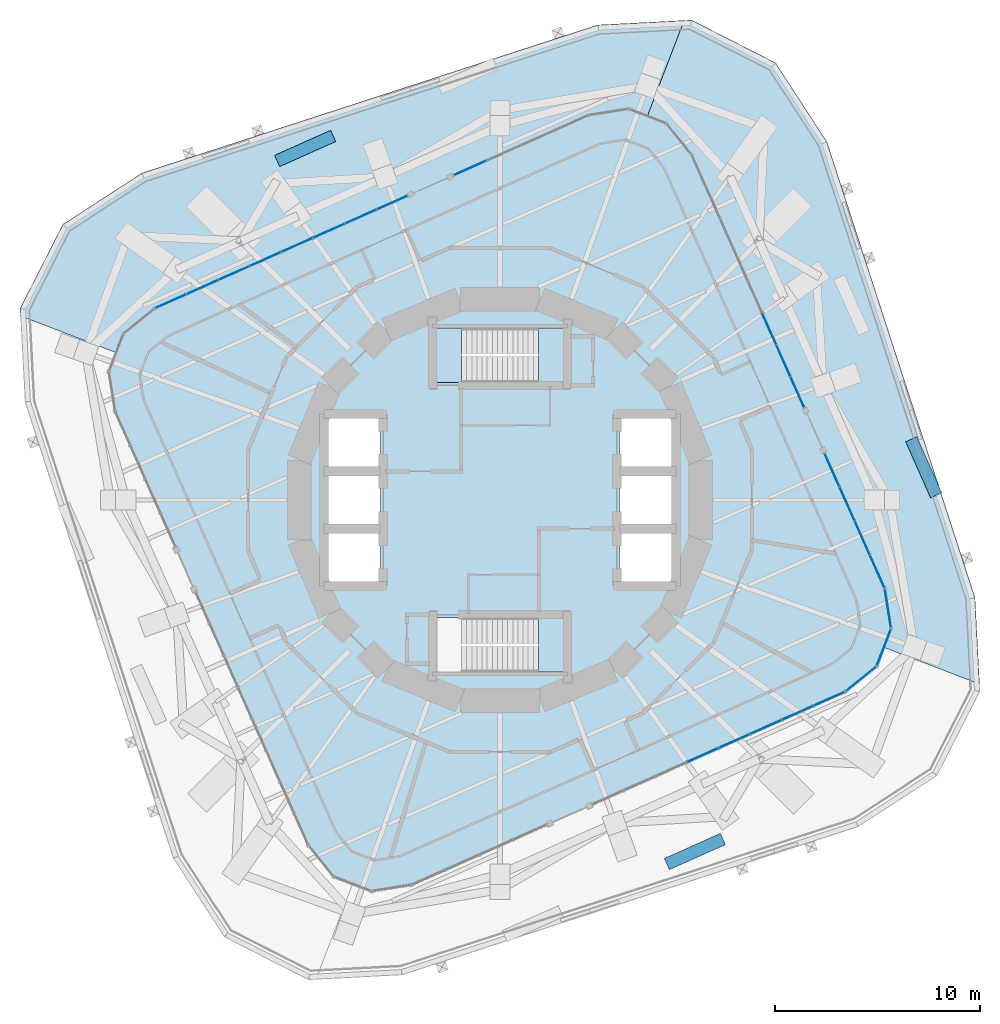
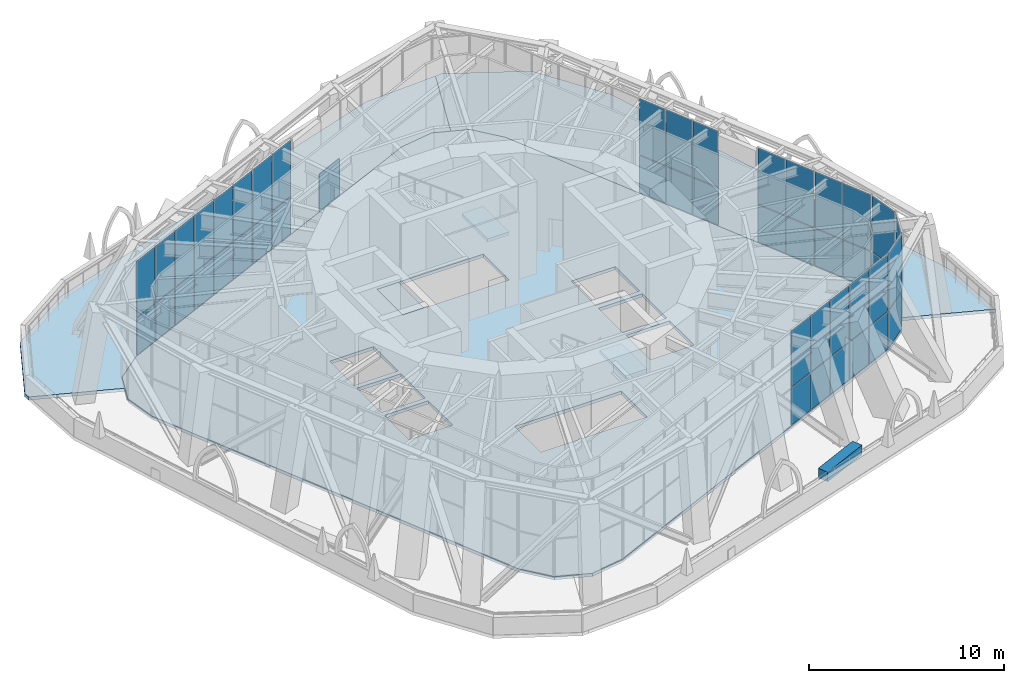
# One storey, part 11 of 18: 50 plates, 6 slabs, 10 elements without a shape of their own.
"""IFC4 building model written with IfcOpenShell, lengths in metres."""

from ifc_helpers import new_model, si_unit, direction, frame, origin, origin_2d, place, context, subcontext, project, spatial, polyline, rectangle, outline, extrude, material, layer, layer_set, type_object, element, aggregate, save


model = new_model("IFC4")

# Units and contexts
model_context = context("Model", 3, precision=1e-05, world=origin(), true_north=direction((0.0, 1.0)))
body_context = subcontext(model_context, "Body", "Model", "MODEL_VIEW")
ifc_project = project(units=[si_unit("LENGTHUNIT", "METRE"), si_unit("AREAUNIT", "SQUARE_METRE"), si_unit("VOLUMEUNIT", "CUBIC_METRE"), si_unit("PLANEANGLEUNIT", "RADIAN"), si_unit("MASSUNIT", "GRAM", prefix="KILO")], contexts=[model_context])

# Site, building, storey
site_placement = place(None, origin())
site = spatial("IfcSite", under=ifc_project, at=site_placement, CompositionType="ELEMENT")
building_placement = place(site_placement, origin())
building = spatial("IfcBuilding", under=site, at=building_placement, Name="Nakasero Lantern House", CompositionType="ELEMENT")
storey_placement = place(building_placement, frame((0.0, 0.0, 176.449951171875)))
storey = spatial("IfcBuildingStorey", under=building, at=storey_placement, Name="L43", CompositionType="ELEMENT", Elevation=176.449951171875)

# Slab
ifc_material_1 = material(Name="Concrete C35/45", Category="concrete")
ifc_layer_1 = layer(ifc_material_1, 0.199951171875)
ifc_layer_set_1 = layer_set([ifc_layer_1], Name="Composite floor slab 200")
slab_type_1 = type_object("IfcSlabType", Name="Composite floor slab 200", PredefinedType="FLOOR", material=ifc_layer_set_1)
slab_1_placement = place(storey_placement, frame((0.0, 0.0, -0.199951171875)))
element("IfcSlab", 1, at=slab_1_placement, inside=storey, type_object=slab_type_1, Name="Floor slab L43", PredefinedType="FLOOR", context=body_context, shape_type="SweptSolid", body=[
    extrude(outline(polyline([(18.798583984375, -4.328125), (9.3623046875, 16.8662109375), (8.1201171875, 18.400146484375), (6.277587890625, 19.107421875), (4.328125, 18.798583984375), (-16.8662109375, 9.3623046875), (-18.400146484375, 8.1201171875), (-19.107421875, 6.277587890625), (-18.798583984375, 4.328125), (-9.3623046875, -16.8662109375), (-8.1201171875, -18.400146484375), (-6.277587890625, -19.107421875), (-4.328125, -18.798583984375), (16.8662109375, -9.3623046875), (18.400146484375, -8.1201171875), (19.107421875, -6.277587890625), (18.798583984375, -4.328125)]), holes=[polyline([(-8.449951171875, -4.050048828125), (-5.85009765625, -4.050048828125), (-5.85009765625, -1.550048828125), (-8.449951171875, -1.550048828125), (-8.449951171875, -4.050048828125)]), polyline([(-8.449951171875, -1.25), (-5.85009765625, -1.25), (-5.85009765625, 1.25), (-8.449951171875, 1.25), (-8.449951171875, -1.25)]), polyline([(-8.449951171875, 1.550048828125), (-5.85009765625, 1.550048828125), (-5.85009765625, 4.050048828125), (-8.449951171875, 4.050048828125), (-8.449951171875, 1.550048828125)]), polyline([(5.85009765625, -4.050048828125), (8.449951171875, -4.050048828125), (8.449951171875, -1.550048828125), (5.85009765625, -1.550048828125), (5.85009765625, -4.050048828125)]), polyline([(5.85009765625, -1.25), (8.449951171875, -1.25), (8.449951171875, 1.25), (5.85009765625, 1.25), (5.85009765625, -1.25)]), polyline([(5.85009765625, 1.550048828125), (8.449951171875, 1.550048828125), (8.449951171875, 4.050048828125), (5.85009765625, 4.050048828125), (5.85009765625, 1.550048828125)]), polyline([(-3.14990234375, 5.75), (3.14990234375, 5.75), (3.14990234375, 8.39990234375), (-3.14990234375, 8.39990234375), (-3.14990234375, 5.75)]), polyline([(-3.14990234375, -8.39990234375), (3.14990234375, -8.39990234375), (3.14990234375, -5.75), (-3.14990234375, -5.75), (-3.14990234375, -8.39990234375)])]), origin(), (0.0, 0.0, 1.0), 0.199951171875),
])

# Curtain wall, plates
ifc_material_2 = material(Name="Aluminium 6063-T6 and glass", Category="aluminium")
curtain_wall_type = type_object("IfcCurtainWallType", Name="Sky lounge glazing CW-3", PredefinedType="USERDEFINED", material=ifc_material_2)
curtain_wall_1_placement = place(storey_placement, origin())
curtain_wall_1 = element("IfcCurtainWall", 2, at=curtain_wall_1_placement, inside=storey, type_object=curtain_wall_type, Name="Curtain wall CW-3 L43", ObjectType="STICK CURTAIN WALL", PredefinedType="USERDEFINED")
ifc_material_3 = material(Name="Glass", Category="glass")
ifc_layer_2 = layer(ifc_material_3, 0.028076171875)
ifc_layer_set_2 = layer_set([ifc_layer_2], Name="Glazed panel CW-3")
plate_type_1 = type_object("IfcPlateType", Name="Glazed panel CW-3", PredefinedType="CURTAIN_PANEL", material=ifc_layer_set_2)
plate_1_placement = place(storey_placement, frame((16.95556640625, -0.1884765625, 0.06005859375), z_axis=(0.0, 0.0, 1.0), x_axis=(-0.406736643044, 0.913545457657, 0.0)))
plate_1 = element("IfcPlate", 3, at=plate_1_placement, type_object=plate_type_1, Name="CW-3 panel 3.1", PredefinedType="CURTAIN_PANEL", context=body_context, shape_type="SweptSolid", body=[
    extrude(rectangle(XDim=1.75244140625, YDim=0.028076171875, at=origin_2d()), origin(), (0.0, 0.0, 1.0), 2.31005859375),
])
plate_2_placement = place(storey_placement, frame((16.95556640625, -0.1884765625, 2.43017578125), z_axis=(0.0, 0.0, 1.0), x_axis=(-0.406736643044, 0.913545457657, 0.0)))
plate_2 = element("IfcPlate", 4, at=plate_2_placement, type_object=plate_type_1, Name="CW-3 panel 3.2", PredefinedType="CURTAIN_PANEL", context=body_context, shape_type="SweptSolid", body=[
    extrude(rectangle(XDim=1.75244140625, YDim=0.028076171875, at=origin_2d()), origin(), (0.0, 0.0, 1.0), 3.510009765625),
])

curtain_wall_2_placement = place(storey_placement, origin())
curtain_wall_2 = element("IfcCurtainWall", 5, at=curtain_wall_2_placement, inside=storey, type_object=curtain_wall_type, Name="Curtain wall CW-3 L43", ObjectType="STICK CURTAIN WALL", PredefinedType="USERDEFINED")
plate_3_placement = place(storey_placement, frame((13.84033203125, 6.80859375, 0.06005859375), z_axis=(0.0, 0.0, 1.0), x_axis=(-0.406736643092, 0.913545457636, 0.0)))
plate_3 = element("IfcPlate", 6, at=plate_3_placement, type_object=plate_type_1, Name="CW-3 panel 2.1", PredefinedType="CURTAIN_PANEL", context=body_context, shape_type="SweptSolid", body=[
    extrude(rectangle(XDim=1.6337890625, YDim=0.028076171875, at=origin_2d()), origin(), (0.0, 0.0, 1.0), 2.31005859375),
])
plate_4_placement = place(storey_placement, frame((13.84033203125, 6.80859375, 2.43017578125), z_axis=(0.0, 0.0, 1.0), x_axis=(-0.406736643092, 0.913545457636, 0.0)))
plate_4 = element("IfcPlate", 7, at=plate_4_placement, type_object=plate_type_1, Name="CW-3 panel 2.2", PredefinedType="CURTAIN_PANEL", context=body_context, shape_type="SweptSolid", body=[
    extrude(rectangle(XDim=1.6337890625, YDim=0.028076171875, at=origin_2d()), origin(), (0.0, 0.0, 1.0), 3.510009765625),
])

curtain_wall_3_placement = place(storey_placement, origin())
curtain_wall_3 = element("IfcCurtainWall", 8, at=curtain_wall_3_placement, inside=storey, type_object=curtain_wall_type, Name="Curtain wall CW-3 L43", ObjectType="STICK CURTAIN WALL", PredefinedType="USERDEFINED")
plate_5_placement = place(storey_placement, frame((-6.80859375, 13.84033203125, 0.06005859375), z_axis=(0.0, 0.0, 1.0), x_axis=(-0.913545457636, -0.406736643092, 0.0)))
plate_5 = element("IfcPlate", 9, at=plate_5_placement, type_object=plate_type_1, Name="CW-3 panel 2.1", PredefinedType="CURTAIN_PANEL", context=body_context, shape_type="SweptSolid", body=[
    extrude(rectangle(XDim=1.6337890625, YDim=0.028076171875, at=origin_2d()), origin(), (0.0, 0.0, 1.0), 2.31005859375),
])
plate_6_placement = place(storey_placement, frame((-6.80859375, 13.84033203125, 2.43017578125), z_axis=(0.0, 0.0, 1.0), x_axis=(-0.913545457636, -0.406736643092, 0.0)))
plate_6 = element("IfcPlate", 10, at=plate_6_placement, type_object=plate_type_1, Name="CW-3 panel 2.2", PredefinedType="CURTAIN_PANEL", context=body_context, shape_type="SweptSolid", body=[
    extrude(rectangle(XDim=1.6337890625, YDim=0.028076171875, at=origin_2d()), origin(), (0.0, 0.0, 1.0), 3.510009765625),
])

curtain_wall_4_placement = place(storey_placement, origin())
curtain_wall_4 = element("IfcCurtainWall", 11, at=curtain_wall_4_placement, inside=storey, type_object=curtain_wall_type, Name="Curtain wall CW-3 L43", ObjectType="STICK CURTAIN WALL", PredefinedType="USERDEFINED")
plate_7_placement = place(storey_placement, frame((17.633056640625, -8.7412109375, 0.06005859375), z_axis=(0.0, 0.0, 1.0), x_axis=(0.777145961556, 0.629320390928, 0.0)))
plate_7 = element("IfcPlate", 12, at=plate_7_placement, type_object=plate_type_1, Name="CW-3 panel 1.1", PredefinedType="CURTAIN_PANEL", context=body_context, shape_type="SweptSolid", body=[
    extrude(rectangle(XDim=1.853759765625, YDim=0.028076171875, at=origin_2d()), origin(), (0.0, 0.0, 1.0), 2.31005859375),
])
plate_8_placement = place(storey_placement, frame((17.633056640625, -8.7412109375, 2.43017578125), z_axis=(0.0, 0.0, 1.0), x_axis=(0.777145961556, 0.629320390928, 0.0)))
plate_8 = element("IfcPlate", 13, at=plate_8_placement, type_object=plate_type_1, Name="CW-3 panel 1.2", PredefinedType="CURTAIN_PANEL", context=body_context, shape_type="SweptSolid", body=[
    extrude(rectangle(XDim=1.853759765625, YDim=0.028076171875, at=origin_2d()), origin(), (0.0, 0.0, 1.0), 3.510009765625),
])
aggregate(curtain_wall_4, [plate_7, plate_8])

# Plate
ifc_material_4 = material(Name="Aluminium 6063-T6 and insulation", Category="aluminium")
ifc_layer_3 = layer(ifc_material_4, 0.028076171875)
ifc_layer_set_3 = layer_set([ifc_layer_3], Name="Insulated panel CW-3")
plate_type_2 = type_object("IfcPlateType", Name="Insulated panel CW-3", PredefinedType="CURTAIN_PANEL", material=ifc_layer_set_3)
plate_9_placement = place(storey_placement, frame((18.423828125, -3.486572265625, 0.06005859375), z_axis=(0.0, 0.0, 1.0), x_axis=(-0.406736643044, 0.913545457657, 0.0)))
plate_9 = element("IfcPlate", 14, at=plate_9_placement, type_object=plate_type_2, Name="CW-3 panel 1.1", PredefinedType="CURTAIN_PANEL", context=body_context, shape_type="SweptSolid", body=[
    extrude(rectangle(XDim=1.722412109375, YDim=0.028076171875, at=origin_2d()), origin(), (0.0, 0.0, 1.0), 2.31005859375),
])

plate_10_placement = place(storey_placement, frame((18.423828125, -3.486572265625, 2.43017578125), z_axis=(0.0, 0.0, 1.0), x_axis=(-0.406736643044, 0.913545457657, 0.0)))
plate_10 = element("IfcPlate", 15, at=plate_10_placement, type_object=plate_type_2, Name="CW-3 panel 1.2", PredefinedType="CURTAIN_PANEL", context=body_context, shape_type="SweptSolid", body=[
    extrude(rectangle(XDim=1.722412109375, YDim=0.028076171875, at=origin_2d()), origin(), (0.0, 0.0, 1.0), 3.510009765625),
])

plate_11_placement = place(storey_placement, frame((17.69287109375, -1.844482421875, 0.06005859375), z_axis=(0.0, 0.0, 1.0), x_axis=(-0.406736643044, 0.913545457657, 0.0)))
plate_11 = element("IfcPlate", 16, at=plate_11_placement, type_object=plate_type_2, Name="CW-3 panel 2.1", PredefinedType="CURTAIN_PANEL", context=body_context, shape_type="SweptSolid", body=[
    extrude(rectangle(XDim=1.75244140625, YDim=0.028076171875, at=origin_2d()), origin(), (0.0, 0.0, 1.0), 2.31005859375),
])

plate_12_placement = place(storey_placement, frame((17.69287109375, -1.844482421875, 2.43017578125), z_axis=(0.0, 0.0, 1.0), x_axis=(-0.406736643044, 0.913545457657, 0.0)))
plate_12 = element("IfcPlate", 17, at=plate_12_placement, type_object=plate_type_2, Name="CW-3 panel 2.2", PredefinedType="CURTAIN_PANEL", context=body_context, shape_type="SweptSolid", body=[
    extrude(rectangle(XDim=1.75244140625, YDim=0.028076171875, at=origin_2d()), origin(), (0.0, 0.0, 1.0), 3.510009765625),
])

plate_13_placement = place(storey_placement, frame((16.224365234375, 1.45361328125, 0.06005859375), z_axis=(0.0, 0.0, 1.0), x_axis=(-0.406736643044, 0.913545457657, 0.0)))
plate_13 = element("IfcPlate", 18, at=plate_13_placement, type_object=plate_type_2, Name="CW-3 panel 4.1", PredefinedType="CURTAIN_PANEL", context=body_context, shape_type="SweptSolid", body=[
    extrude(rectangle(XDim=1.722412109375, YDim=0.028076171875, at=origin_2d()), origin(), (0.0, 0.0, 1.0), 2.31005859375),
])

plate_14_placement = place(storey_placement, frame((16.224365234375, 1.45361328125, 2.43017578125), z_axis=(0.0, 0.0, 1.0), x_axis=(-0.406736643044, 0.913545457657, 0.0)))
plate_14 = element("IfcPlate", 19, at=plate_14_placement, type_object=plate_type_2, Name="CW-3 panel 4.2", PredefinedType="CURTAIN_PANEL", context=body_context, shape_type="SweptSolid", body=[
    extrude(rectangle(XDim=1.722412109375, YDim=0.028076171875, at=origin_2d()), origin(), (0.0, 0.0, 1.0), 3.510009765625),
])

aggregate(curtain_wall_1, [plate_9, plate_10, plate_11, plate_12, plate_1, plate_2, plate_13, plate_14])

plate_15_placement = place(storey_placement, frame((14.52294921875, 5.27490234375, 0.06005859375), z_axis=(0.0, 0.0, 1.0), x_axis=(-0.406736643092, 0.913545457636, 0.0)))
plate_15 = element("IfcPlate", 20, at=plate_15_placement, type_object=plate_type_2, Name="CW-3 panel 1.1", PredefinedType="CURTAIN_PANEL", context=body_context, shape_type="SweptSolid", body=[
    extrude(rectangle(XDim=1.603759765625, YDim=0.028076171875, at=origin_2d()), origin(), (0.0, 0.0, 1.0), 2.31005859375),
])

plate_16_placement = place(storey_placement, frame((14.52294921875, 5.27490234375, 2.43017578125), z_axis=(0.0, 0.0, 1.0), x_axis=(-0.406736643092, 0.913545457636, 0.0)))
plate_16 = element("IfcPlate", 21, at=plate_16_placement, type_object=plate_type_2, Name="CW-3 panel 1.2", PredefinedType="CURTAIN_PANEL", context=body_context, shape_type="SweptSolid", body=[
    extrude(rectangle(XDim=1.603759765625, YDim=0.028076171875, at=origin_2d()), origin(), (0.0, 0.0, 1.0), 3.510009765625),
])

plate_17_placement = place(storey_placement, frame((13.1513671875, 8.35595703125, 0.06005859375), z_axis=(0.0, 0.0, 1.0), x_axis=(-0.406736643092, 0.913545457636, 0.0)))
plate_17 = element("IfcPlate", 22, at=plate_17_placement, type_object=plate_type_2, Name="CW-3 panel 3.1", PredefinedType="CURTAIN_PANEL", context=body_context, shape_type="SweptSolid", body=[
    extrude(rectangle(XDim=1.6337890625, YDim=0.028076171875, at=origin_2d()), origin(), (0.0, 0.0, 1.0), 2.31005859375),
])

plate_18_placement = place(storey_placement, frame((13.1513671875, 8.35595703125, 2.43017578125), z_axis=(0.0, 0.0, 1.0), x_axis=(-0.406736643092, 0.913545457636, 0.0)))
plate_18 = element("IfcPlate", 23, at=plate_18_placement, type_object=plate_type_2, Name="CW-3 panel 3.2", PredefinedType="CURTAIN_PANEL", context=body_context, shape_type="SweptSolid", body=[
    extrude(rectangle(XDim=1.6337890625, YDim=0.028076171875, at=origin_2d()), origin(), (0.0, 0.0, 1.0), 3.510009765625),
])

aggregate(curtain_wall_2, [plate_15, plate_16, plate_3, plate_4, plate_17, plate_18])

# Curtain wall, plate
curtain_wall_5_placement = place(storey_placement, origin())
curtain_wall_5 = element("IfcCurtainWall", 24, at=curtain_wall_5_placement, inside=storey, type_object=curtain_wall_type, Name="Curtain wall CW-3 L43", ObjectType="STICK CURTAIN WALL", PredefinedType="USERDEFINED")
plate_19_placement = place(storey_placement, frame((-1.45361328125, 16.224365234375, 0.06005859375), z_axis=(0.0, 0.0, 1.0), x_axis=(-0.913545457657, -0.406736643044, 0.0)))
plate_19 = element("IfcPlate", 25, at=plate_19_placement, type_object=plate_type_2, Name="CW-3 panel 4.1", PredefinedType="CURTAIN_PANEL", context=body_context, shape_type="SweptSolid", body=[
    extrude(rectangle(XDim=1.722412109375, YDim=0.028076171875, at=origin_2d()), origin(), (0.0, 0.0, 1.0), 2.31005859375),
])
aggregate(curtain_wall_5, [plate_19])

# Plate
plate_20_placement = place(storey_placement, frame((-5.27490234375, 14.52294921875, 0.06005859375), z_axis=(0.0, 0.0, 1.0), x_axis=(-0.913545457636, -0.406736643092, 0.0)))
plate_20 = element("IfcPlate", 26, at=plate_20_placement, type_object=plate_type_2, Name="CW-3 panel 1.1", PredefinedType="CURTAIN_PANEL", context=body_context, shape_type="SweptSolid", body=[
    extrude(rectangle(XDim=1.603759765625, YDim=0.028076171875, at=origin_2d()), origin(), (0.0, 0.0, 1.0), 2.31005859375),
])

plate_21_placement = place(storey_placement, frame((-5.27490234375, 14.52294921875, 2.43017578125), z_axis=(0.0, 0.0, 1.0), x_axis=(-0.913545457636, -0.406736643092, 0.0)))
plate_21 = element("IfcPlate", 27, at=plate_21_placement, type_object=plate_type_2, Name="CW-3 panel 1.2", PredefinedType="CURTAIN_PANEL", context=body_context, shape_type="SweptSolid", body=[
    extrude(rectangle(XDim=1.603759765625, YDim=0.028076171875, at=origin_2d()), origin(), (0.0, 0.0, 1.0), 3.510009765625),
])

plate_22_placement = place(storey_placement, frame((-8.35595703125, 13.1513671875, 0.06005859375), z_axis=(0.0, 0.0, 1.0), x_axis=(-0.913545457636, -0.406736643092, 0.0)))
plate_22 = element("IfcPlate", 28, at=plate_22_placement, type_object=plate_type_2, Name="CW-3 panel 3.1", PredefinedType="CURTAIN_PANEL", context=body_context, shape_type="SweptSolid", body=[
    extrude(rectangle(XDim=1.6337890625, YDim=0.028076171875, at=origin_2d()), origin(), (0.0, 0.0, 1.0), 2.31005859375),
])

plate_23_placement = place(storey_placement, frame((-8.35595703125, 13.1513671875, 2.43017578125), z_axis=(0.0, 0.0, 1.0), x_axis=(-0.913545457636, -0.406736643092, 0.0)))
plate_23 = element("IfcPlate", 29, at=plate_23_placement, type_object=plate_type_2, Name="CW-3 panel 3.2", PredefinedType="CURTAIN_PANEL", context=body_context, shape_type="SweptSolid", body=[
    extrude(rectangle(XDim=1.6337890625, YDim=0.028076171875, at=origin_2d()), origin(), (0.0, 0.0, 1.0), 3.510009765625),
])

plate_24_placement = place(storey_placement, frame((-9.9033203125, 12.46240234375, 0.06005859375), z_axis=(0.0, 0.0, 1.0), x_axis=(-0.913545457636, -0.406736643092, 0.0)))
plate_24 = element("IfcPlate", 30, at=plate_24_placement, type_object=plate_type_2, Name="CW-3 panel 4.1", PredefinedType="CURTAIN_PANEL", context=body_context, shape_type="SweptSolid", body=[
    extrude(rectangle(XDim=1.6337890625, YDim=0.028076171875, at=origin_2d()), origin(), (0.0, 0.0, 1.0), 2.31005859375),
])

plate_25_placement = place(storey_placement, frame((-9.9033203125, 12.46240234375, 2.43017578125), z_axis=(0.0, 0.0, 1.0), x_axis=(-0.913545457636, -0.406736643092, 0.0)))
plate_25 = element("IfcPlate", 31, at=plate_25_placement, type_object=plate_type_2, Name="CW-3 panel 4.2", PredefinedType="CURTAIN_PANEL", context=body_context, shape_type="SweptSolid", body=[
    extrude(rectangle(XDim=1.6337890625, YDim=0.028076171875, at=origin_2d()), origin(), (0.0, 0.0, 1.0), 3.510009765625),
])

plate_26_placement = place(storey_placement, frame((-11.450439453125, 11.7734375, 0.06005859375), z_axis=(0.0, 0.0, 1.0), x_axis=(-0.913545457636, -0.406736643092, 0.0)))
plate_26 = element("IfcPlate", 32, at=plate_26_placement, type_object=plate_type_2, Name="CW-3 panel 5.1", PredefinedType="CURTAIN_PANEL", context=body_context, shape_type="SweptSolid", body=[
    extrude(rectangle(XDim=1.6337890625, YDim=0.028076171875, at=origin_2d()), origin(), (0.0, 0.0, 1.0), 2.31005859375),
])

plate_27_placement = place(storey_placement, frame((-11.450439453125, 11.7734375, 2.43017578125), z_axis=(0.0, 0.0, 1.0), x_axis=(-0.913545457636, -0.406736643092, 0.0)))
plate_27 = element("IfcPlate", 33, at=plate_27_placement, type_object=plate_type_2, Name="CW-3 panel 5.2", PredefinedType="CURTAIN_PANEL", context=body_context, shape_type="SweptSolid", body=[
    extrude(rectangle(XDim=1.6337890625, YDim=0.028076171875, at=origin_2d()), origin(), (0.0, 0.0, 1.0), 3.510009765625),
])

plate_28_placement = place(storey_placement, frame((-12.997802734375, 11.084716796875, 0.06005859375), z_axis=(0.0, 0.0, 1.0), x_axis=(-0.913545457636, -0.406736643092, 0.0)))
plate_28 = element("IfcPlate", 34, at=plate_28_placement, type_object=plate_type_2, Name="CW-3 panel 6.1", PredefinedType="CURTAIN_PANEL", context=body_context, shape_type="SweptSolid", body=[
    extrude(rectangle(XDim=1.6337890625, YDim=0.028076171875, at=origin_2d()), origin(), (0.0, 0.0, 1.0), 2.31005859375),
])

plate_29_placement = place(storey_placement, frame((-12.997802734375, 11.084716796875, 2.43017578125), z_axis=(0.0, 0.0, 1.0), x_axis=(-0.913545457636, -0.406736643092, 0.0)))
plate_29 = element("IfcPlate", 35, at=plate_29_placement, type_object=plate_type_2, Name="CW-3 panel 6.2", PredefinedType="CURTAIN_PANEL", context=body_context, shape_type="SweptSolid", body=[
    extrude(rectangle(XDim=1.6337890625, YDim=0.028076171875, at=origin_2d()), origin(), (0.0, 0.0, 1.0), 3.510009765625),
])

plate_30_placement = place(storey_placement, frame((-14.545166015625, 10.395751953125, 0.06005859375), z_axis=(0.0, 0.0, 1.0), x_axis=(-0.913545457636, -0.406736643092, 0.0)))
plate_30 = element("IfcPlate", 36, at=plate_30_placement, type_object=plate_type_2, Name="CW-3 panel 7.1", PredefinedType="CURTAIN_PANEL", context=body_context, shape_type="SweptSolid", body=[
    extrude(rectangle(XDim=1.6337890625, YDim=0.028076171875, at=origin_2d()), origin(), (0.0, 0.0, 1.0), 2.31005859375),
])

plate_31_placement = place(storey_placement, frame((-14.545166015625, 10.395751953125, 2.43017578125), z_axis=(0.0, 0.0, 1.0), x_axis=(-0.913545457636, -0.406736643092, 0.0)))
plate_31 = element("IfcPlate", 37, at=plate_31_placement, type_object=plate_type_2, Name="CW-3 panel 7.2", PredefinedType="CURTAIN_PANEL", context=body_context, shape_type="SweptSolid", body=[
    extrude(rectangle(XDim=1.6337890625, YDim=0.028076171875, at=origin_2d()), origin(), (0.0, 0.0, 1.0), 3.510009765625),
])

plate_32_placement = place(storey_placement, frame((-16.078857421875, 9.712890625, 0.06005859375), z_axis=(0.0, 0.0, 1.0), x_axis=(-0.913545457636, -0.406736643092, 0.0)))
plate_32 = element("IfcPlate", 38, at=plate_32_placement, type_object=plate_type_2, Name="CW-3 panel 8.1", PredefinedType="CURTAIN_PANEL", context=body_context, shape_type="SweptSolid", body=[
    extrude(rectangle(XDim=1.603759765625, YDim=0.028076171875, at=origin_2d()), origin(), (0.0, 0.0, 1.0), 2.31005859375),
])

plate_33_placement = place(storey_placement, frame((-16.078857421875, 9.712890625, 2.43017578125), z_axis=(0.0, 0.0, 1.0), x_axis=(-0.913545457636, -0.406736643092, 0.0)))
plate_33 = element("IfcPlate", 39, at=plate_33_placement, type_object=plate_type_2, Name="CW-3 panel 8.2", PredefinedType="CURTAIN_PANEL", context=body_context, shape_type="SweptSolid", body=[
    extrude(rectangle(XDim=1.603759765625, YDim=0.028076171875, at=origin_2d()), origin(), (0.0, 0.0, 1.0), 3.510009765625),
])

aggregate(curtain_wall_3, [plate_20, plate_21, plate_5, plate_6, plate_22, plate_23, plate_24, plate_25, plate_26, plate_27, plate_28, plate_29, plate_30, plate_31, plate_32, plate_33])

# Curtain wall, plates
curtain_wall_6_placement = place(storey_placement, origin())
curtain_wall_6 = element("IfcCurtainWall", 40, at=curtain_wall_6_placement, inside=storey, type_object=curtain_wall_type, Name="Curtain wall CW-3 L43", ObjectType="STICK CURTAIN WALL", PredefinedType="USERDEFINED")
plate_34_placement = place(storey_placement, frame((9.9033203125, -12.46240234375, 0.06005859375), z_axis=(0.0, 0.0, 1.0), x_axis=(0.913545457636, 0.406736643092, 0.0)))
plate_34 = element("IfcPlate", 41, at=plate_34_placement, type_object=plate_type_2, Name="CW-3 panel 4.1", PredefinedType="CURTAIN_PANEL", context=body_context, shape_type="SweptSolid", body=[
    extrude(rectangle(XDim=1.6337890625, YDim=0.028076171875, at=origin_2d()), origin(), (0.0, 0.0, 1.0), 2.31005859375),
])
plate_35_placement = place(storey_placement, frame((9.9033203125, -12.46240234375, 2.43017578125), z_axis=(0.0, 0.0, 1.0), x_axis=(0.913545457636, 0.406736643092, 0.0)))
plate_35 = element("IfcPlate", 42, at=plate_35_placement, type_object=plate_type_2, Name="CW-3 panel 4.2", PredefinedType="CURTAIN_PANEL", context=body_context, shape_type="SweptSolid", body=[
    extrude(rectangle(XDim=1.6337890625, YDim=0.028076171875, at=origin_2d()), origin(), (0.0, 0.0, 1.0), 3.510009765625),
])
plate_36_placement = place(storey_placement, frame((11.450439453125, -11.7734375, 0.06005859375), z_axis=(0.0, 0.0, 1.0), x_axis=(0.913545457636, 0.406736643092, 0.0)))
plate_36 = element("IfcPlate", 43, at=plate_36_placement, type_object=plate_type_2, Name="CW-3 panel 5.1", PredefinedType="CURTAIN_PANEL", context=body_context, shape_type="SweptSolid", body=[
    extrude(rectangle(XDim=1.6337890625, YDim=0.028076171875, at=origin_2d()), origin(), (0.0, 0.0, 1.0), 2.31005859375),
])
plate_37_placement = place(storey_placement, frame((11.450439453125, -11.7734375, 2.43017578125), z_axis=(0.0, 0.0, 1.0), x_axis=(0.913545457636, 0.406736643092, 0.0)))
plate_37 = element("IfcPlate", 44, at=plate_37_placement, type_object=plate_type_2, Name="CW-3 panel 5.2", PredefinedType="CURTAIN_PANEL", context=body_context, shape_type="SweptSolid", body=[
    extrude(rectangle(XDim=1.6337890625, YDim=0.028076171875, at=origin_2d()), origin(), (0.0, 0.0, 1.0), 3.510009765625),
])
plate_38_placement = place(storey_placement, frame((12.997802734375, -11.084716796875, 0.06005859375), z_axis=(0.0, 0.0, 1.0), x_axis=(0.913545457636, 0.406736643092, 0.0)))
plate_38 = element("IfcPlate", 45, at=plate_38_placement, type_object=plate_type_2, Name="CW-3 panel 6.1", PredefinedType="CURTAIN_PANEL", context=body_context, shape_type="SweptSolid", body=[
    extrude(rectangle(XDim=1.6337890625, YDim=0.028076171875, at=origin_2d()), origin(), (0.0, 0.0, 1.0), 2.31005859375),
])
plate_39_placement = place(storey_placement, frame((12.997802734375, -11.084716796875, 2.43017578125), z_axis=(0.0, 0.0, 1.0), x_axis=(0.913545457636, 0.406736643092, 0.0)))
plate_39 = element("IfcPlate", 46, at=plate_39_placement, type_object=plate_type_2, Name="CW-3 panel 6.2", PredefinedType="CURTAIN_PANEL", context=body_context, shape_type="SweptSolid", body=[
    extrude(rectangle(XDim=1.6337890625, YDim=0.028076171875, at=origin_2d()), origin(), (0.0, 0.0, 1.0), 3.510009765625),
])
plate_40_placement = place(storey_placement, frame((14.545166015625, -10.395751953125, 0.06005859375), z_axis=(0.0, 0.0, 1.0), x_axis=(0.913545457636, 0.406736643092, 0.0)))
plate_40 = element("IfcPlate", 47, at=plate_40_placement, type_object=plate_type_2, Name="CW-3 panel 7.1", PredefinedType="CURTAIN_PANEL", context=body_context, shape_type="SweptSolid", body=[
    extrude(rectangle(XDim=1.6337890625, YDim=0.028076171875, at=origin_2d()), origin(), (0.0, 0.0, 1.0), 2.31005859375),
])
plate_41_placement = place(storey_placement, frame((14.545166015625, -10.395751953125, 2.43017578125), z_axis=(0.0, 0.0, 1.0), x_axis=(0.913545457636, 0.406736643092, 0.0)))
plate_41 = element("IfcPlate", 48, at=plate_41_placement, type_object=plate_type_2, Name="CW-3 panel 7.2", PredefinedType="CURTAIN_PANEL", context=body_context, shape_type="SweptSolid", body=[
    extrude(rectangle(XDim=1.6337890625, YDim=0.028076171875, at=origin_2d()), origin(), (0.0, 0.0, 1.0), 3.510009765625),
])
plate_42_placement = place(storey_placement, frame((16.078857421875, -9.712890625, 0.06005859375), z_axis=(0.0, 0.0, 1.0), x_axis=(0.913545457636, 0.406736643092, 0.0)))
plate_42 = element("IfcPlate", 49, at=plate_42_placement, type_object=plate_type_2, Name="CW-3 panel 8.1", PredefinedType="CURTAIN_PANEL", context=body_context, shape_type="SweptSolid", body=[
    extrude(rectangle(XDim=1.603759765625, YDim=0.028076171875, at=origin_2d()), origin(), (0.0, 0.0, 1.0), 2.31005859375),
])
plate_43_placement = place(storey_placement, frame((16.078857421875, -9.712890625, 2.43017578125), z_axis=(0.0, 0.0, 1.0), x_axis=(0.913545457636, 0.406736643092, 0.0)))
plate_43 = element("IfcPlate", 50, at=plate_43_placement, type_object=plate_type_2, Name="CW-3 panel 8.2", PredefinedType="CURTAIN_PANEL", context=body_context, shape_type="SweptSolid", body=[
    extrude(rectangle(XDim=1.603759765625, YDim=0.028076171875, at=origin_2d()), origin(), (0.0, 0.0, 1.0), 3.510009765625),
])
aggregate(curtain_wall_6, [plate_34, plate_35, plate_36, plate_37, plate_38, plate_39, plate_40, plate_41, plate_42, plate_43])

curtain_wall_7_placement = place(storey_placement, origin())
curtain_wall_7 = element("IfcCurtainWall", 51, at=curtain_wall_7_placement, inside=storey, type_object=curtain_wall_type, Name="Curtain wall CW-3 L43", ObjectType="STICK CURTAIN WALL", PredefinedType="USERDEFINED")
plate_44_placement = place(storey_placement, frame((18.753662109375, -7.198974609375, 0.06005859375), z_axis=(0.0, 0.0, 1.0), x_axis=(0.358367949252, 0.93358042661, 0.0)))
plate_44 = element("IfcPlate", 52, at=plate_44_placement, type_object=plate_type_2, Name="CW-3 panel 1.1", PredefinedType="CURTAIN_PANEL", context=body_context, shape_type="SweptSolid", body=[
    extrude(rectangle(XDim=1.853759765625, YDim=0.028076171875, at=origin_2d()), origin(), (0.0, 0.0, 1.0), 2.31005859375),
])
plate_45_placement = place(storey_placement, frame((18.753662109375, -7.198974609375, 2.43017578125), z_axis=(0.0, 0.0, 1.0), x_axis=(0.358367949252, 0.93358042661, 0.0)))
plate_45 = element("IfcPlate", 53, at=plate_45_placement, type_object=plate_type_2, Name="CW-3 panel 1.2", PredefinedType="CURTAIN_PANEL", context=body_context, shape_type="SweptSolid", body=[
    extrude(rectangle(XDim=1.853759765625, YDim=0.028076171875, at=origin_2d()), origin(), (0.0, 0.0, 1.0), 3.510009765625),
])
aggregate(curtain_wall_7, [plate_44, plate_45])

curtain_wall_8_placement = place(storey_placement, origin())
curtain_wall_8 = element("IfcCurtainWall", 54, at=curtain_wall_8_placement, inside=storey, type_object=curtain_wall_type, Name="Curtain wall CW-3 L43", ObjectType="STICK CURTAIN WALL", PredefinedType="USERDEFINED")
plate_46_placement = place(storey_placement, frame((18.952880859375, -5.302734375, 0.06005859375), z_axis=(0.0, 0.0, 1.0), x_axis=(-0.156434465057, 0.987688340592, 0.0)))
plate_46 = element("IfcPlate", 55, at=plate_46_placement, type_object=plate_type_2, Name="CW-3 panel 1.1", PredefinedType="CURTAIN_PANEL", context=body_context, shape_type="SweptSolid", body=[
    extrude(rectangle(XDim=1.853759765625, YDim=0.028076171875, at=origin_2d()), origin(), (0.0, 0.0, 1.0), 2.31005859375),
])
plate_47_placement = place(storey_placement, frame((18.952880859375, -5.302734375, 2.43017578125), z_axis=(0.0, 0.0, 1.0), x_axis=(-0.156434465057, 0.987688340592, 0.0)))
plate_47 = element("IfcPlate", 56, at=plate_47_placement, type_object=plate_type_2, Name="CW-3 panel 1.2", PredefinedType="CURTAIN_PANEL", context=body_context, shape_type="SweptSolid", body=[
    extrude(rectangle(XDim=1.853759765625, YDim=0.028076171875, at=origin_2d()), origin(), (0.0, 0.0, 1.0), 3.510009765625),
])
aggregate(curtain_wall_8, [plate_46, plate_47])

# Plates
ifc_material_5 = material(Name="Aluminium 6063-T6", Category="aluminium")
ifc_layer_4 = layer(ifc_material_5, 0.60009765625)
ifc_layer_set_4 = layer_set([ifc_layer_4], Name="Sky garden planter 1200x3000")
plate_type_3 = type_object("IfcPlateType", Name="Sky garden planter 1200x3000", PredefinedType="USERDEFINED", material=ifc_layer_set_4)
for number, where, z_axis, x_axis, name in (
    (57, (20.699951171875, 1.597412109375, 0.0), (0.0, 0.0, 1.0), (0.913545457643, 0.406736643076, 0.0), "Sky garden PLANTER L43 00"),
    (58, (-9.517822265625, 17.17333984375, 0.0), (0.0, 0.0, 1.0), (-0.406736643076, 0.913545457643, 0.0), "Sky garden PLANTER L43 11"),
    (59, (9.517822265625, -17.17333984375, 0.0), (0.0, 0.0, 1.0), (0.406736643076, -0.913545457643, 0.0), "Sky garden PLANTER L43 31"),
):
    element("IfcPlate", number, at=place(storey_placement, frame(where, z_axis=z_axis, x_axis=x_axis)), inside=storey, type_object=plate_type_3, Name=name, ObjectType="PLANTER", PredefinedType="USERDEFINED", context=body_context, shape_type="SweptSolid", body=[
        extrude(rectangle(XDim=0.60009765625, YDim=3.0, at=origin_2d()), origin(), (0.0, 0.0, 1.0), 0.60009765625),
    ])

# Slabs
ifc_material_6 = material(Name="Concrete C35/45", Category="concrete")
ifc_layer_5 = layer(ifc_material_6, 0.199951171875)
ifc_layer_set_5 = layer_set([ifc_layer_5], Name="Sky garden terrace slab 200")
slab_type_2 = type_object("IfcSlabType", Name="Sky garden terrace slab 200", PredefinedType="USERDEFINED", material=ifc_layer_set_5)
slab_2_placement = place(storey_placement, frame((0.0, 0.0, -0.199951171875)))
element("IfcSlab", 60, at=slab_2_placement, inside=storey, type_object=slab_type_2, Name="Sky garden terrace L43 E", ObjectType="TERRACE", PredefinedType="USERDEFINED", context=body_context, shape_type="SweptSolid", body=[
    extrude(outline(polyline([(23.428955078125, -8.99365234375), (23.207275390625, -4.76171875), (15.976318359375, 17.4931640625), (13.467041015625, 21.35693359375), (9.3623046875, 23.448486328125), (8.99365234375, 23.428955078125), (7.198974609375, 18.753662109375), (8.1201171875, 18.400146484375), (9.3623046875, 16.8662109375), (18.798583984375, -4.328125), (19.107421875, -6.277587890625), (18.753662109375, -7.198974609375), (23.428955078125, -8.99365234375)])), origin(), (0.0, 0.0, 1.0), 0.199951171875),
])
slab_3_placement = place(storey_placement, frame((0.0, 0.0, -0.199951171875)))
element("IfcSlab", 61, at=slab_3_placement, inside=storey, type_object=slab_type_2, Name="Sky garden terrace L43 N", ObjectType="TERRACE", PredefinedType="USERDEFINED", context=body_context, shape_type="SweptSolid", body=[
    extrude(outline(polyline([(-23.448486328125, 9.3623046875), (-23.428955078125, 8.99365234375), (-18.753662109375, 7.198974609375), (-18.400146484375, 8.1201171875), (-16.8662109375, 9.3623046875), (4.328125, 18.798583984375), (6.277587890625, 19.107421875), (7.198974609375, 18.753662109375), (8.99365234375, 23.428955078125), (4.76171875, 23.207275390625), (-17.4931640625, 15.976318359375), (-21.35693359375, 13.467041015625), (-23.448486328125, 9.3623046875)])), origin(), (0.0, 0.0, 1.0), 0.199951171875),
])

# Stair, slabs
ifc_material_7 = material(Name="Concrete C40/50", Category="concrete")
stair_type_1 = type_object("IfcStairType", Name="Escape stair ST1 32 risers", PredefinedType="HALF_TURN_STAIR", material=ifc_material_7)
stair_1_placement = place(storey_placement, origin())
stair_1 = element("IfcStair", 62, at=stair_1_placement, inside=storey, type_object=stair_type_1, Name="Escape stair ST1 L43", PredefinedType="HALF_TURN_STAIR")
ifc_material_8 = material(Name="Concrete C40/50", Category="concrete")
ifc_layer_6 = layer(ifc_material_8, 0.199951171875)
ifc_layer_set_6 = layer_set([ifc_layer_6], Name="Stair landing 200")
slab_type_3 = type_object("IfcSlabType", Name="Stair landing 200", PredefinedType="LANDING", material=ifc_layer_set_6)
slab_4_placement = place(storey_placement, frame((0.0, 0.0, -0.199951171875)))
slab_4 = element("IfcSlab", 63, at=slab_4_placement, type_object=slab_type_3, Name="ST1 landing 1", PredefinedType="LANDING", context=body_context, shape_type="SweptSolid", body=[
    extrude(outline(polyline([(-3.14990234375, 5.75), (-1.875, 5.75), (-1.875, 8.39990234375), (-3.14990234375, 8.39990234375), (-3.14990234375, 5.75)])), origin(), (0.0, 0.0, 1.0), 0.199951171875),
])
slab_5_placement = place(storey_placement, frame((0.0, 0.0, 2.800048828125)))
slab_5 = element("IfcSlab", 64, at=slab_5_placement, type_object=slab_type_3, Name="ST1 landing 2", PredefinedType="LANDING", context=body_context, shape_type="SweptSolid", body=[
    extrude(outline(polyline([(1.875, 5.75), (3.14990234375, 5.75), (3.14990234375, 8.39990234375), (1.875, 8.39990234375), (1.875, 5.75)])), origin(), (0.0, 0.0, 1.0), 0.199951171875),
])
aggregate(stair_1, [slab_4, slab_5])

# Stair, slab
ifc_material_9 = material(Name="Concrete C40/50", Category="concrete")
stair_type_2 = type_object("IfcStairType", Name="Escape stair ST2 32 risers", PredefinedType="HALF_TURN_STAIR", material=ifc_material_9)
stair_2_placement = place(storey_placement, origin())
stair_2 = element("IfcStair", 65, at=stair_2_placement, inside=storey, type_object=stair_type_2, Name="Escape stair ST2 L43", PredefinedType="HALF_TURN_STAIR")
slab_6_placement = place(storey_placement, frame((0.0, 0.0, 2.800048828125)))
slab_6 = element("IfcSlab", 66, at=slab_6_placement, type_object=slab_type_3, Name="ST2 landing 2", PredefinedType="LANDING", context=body_context, shape_type="SweptSolid", body=[
    extrude(outline(polyline([(1.875, -8.39990234375), (3.14990234375, -8.39990234375), (3.14990234375, -5.75), (1.875, -5.75), (1.875, -8.39990234375)])), origin(), (0.0, 0.0, 1.0), 0.199951171875),
])
aggregate(stair_2, [slab_6])

save(model, "model.ifc")
